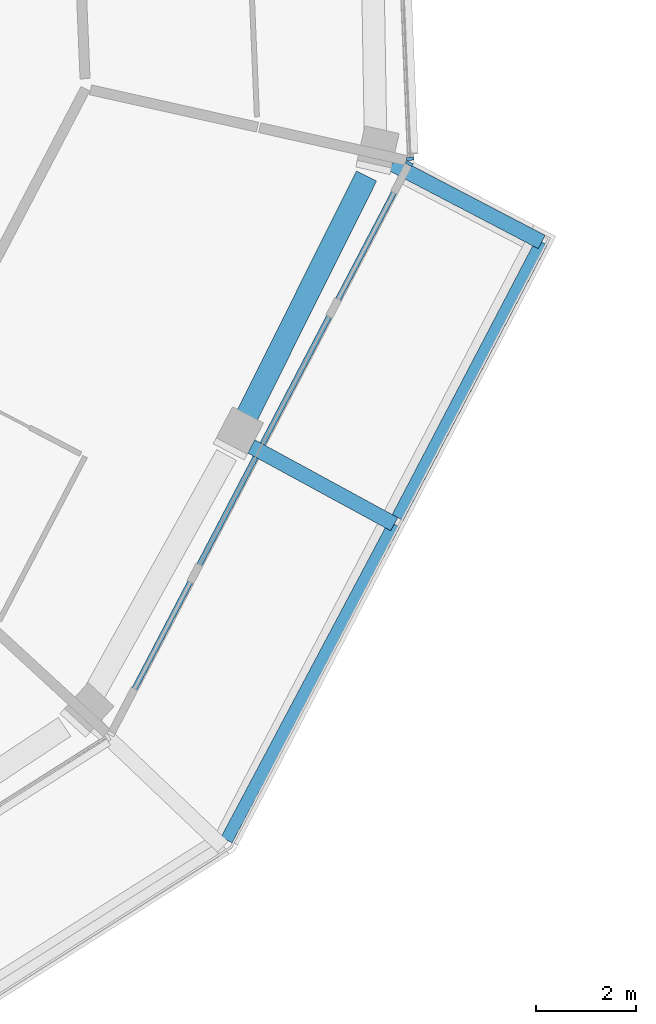
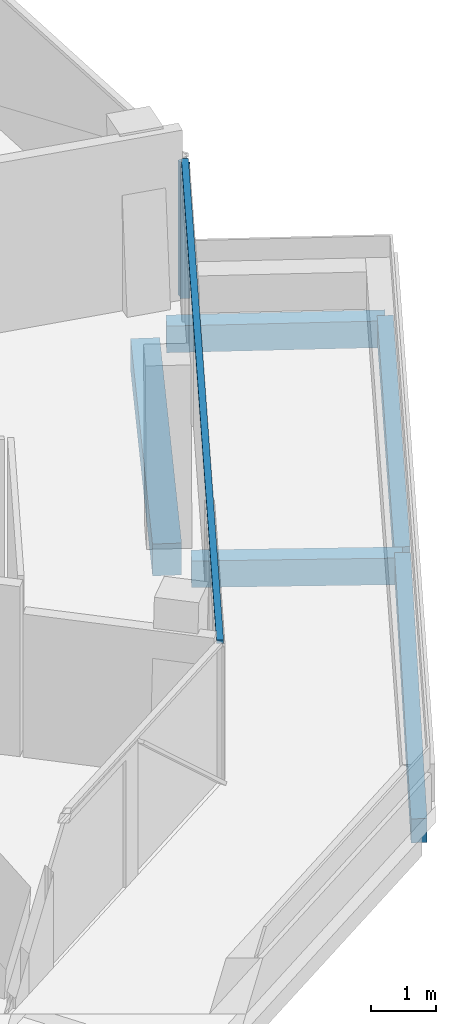
# One storey, part 4 of 23: 5 beams, 3 members, 2 elements without a shape of their own.
"""IFC4 building model written with IfcOpenShell, lengths in metres."""

from ifc_helpers import new_model, si_unit, direction, frame, origin, origin_2d, place, context, subcontext, project, spatial, rectangle, extrude, material, layer, layer_set, material_profile, profile_set, type_object, element, aggregate, save


model = new_model("IFC4")

# Units and contexts
model_context = context("Model", 3, precision=1e-05, world=origin(), true_north=direction((0.0, 1.0)))
body_context = subcontext(model_context, "Body", "Model", "MODEL_VIEW")
ifc_project = project(units=[si_unit("LENGTHUNIT", "METRE"), si_unit("AREAUNIT", "SQUARE_METRE"), si_unit("VOLUMEUNIT", "CUBIC_METRE"), si_unit("PLANEANGLEUNIT", "RADIAN"), si_unit("MASSUNIT", "GRAM", prefix="KILO")], contexts=[model_context])

# Site, building, storey
site_placement = place(None, origin())
site = spatial("IfcSite", under=ifc_project, at=site_placement, CompositionType="ELEMENT")
building_placement = place(site_placement, origin())
building = spatial("IfcBuilding", under=site, at=building_placement, Name="Verdalira Terraces Hotel", CompositionType="ELEMENT")
storey_placement = place(building_placement, frame((0.0, 0.0, 288.0)))
storey = spatial("IfcBuildingStorey", under=building, at=storey_placement, Name="L71", CompositionType="ELEMENT", Elevation=288.0)

# Beams
ifc_material_1 = material(Name="Concrete C40", Category="concrete")
ifc_material_profile_1 = material_profile(ifc_material_1, rectangle(XDim=0.300049, YDim=0.5, at=origin_2d()), Name="RC 300X500")
ifc_profile_set_1 = profile_set([ifc_material_profile_1], Name="Concrete C40")
beam_type_1 = type_object("IfcBeamType", Name="Balcony cantilever beam RC 300X500 C40", PredefinedType="BEAM", material=ifc_profile_set_1)
beam_1_placement = place(storey_placement, frame((21.25708, -11.15918, -0.560059), z_axis=(0.878308542, -0.478094243, 0.0), x_axis=(0.478094243, 0.878308542, 0.0)))
element("IfcBeam", 1, at=beam_1_placement, inside=storey, type_object=beam_type_1, Name="Balcony cantilever beam R25-4", PredefinedType="BEAM", context=body_context, shape_type="SweptSolid", body=[
    extrude(rectangle(XDim=0.300049, YDim=0.5, at=origin_2d()), origin(), (0.0, 0.0, 1.0), 3.250732),
])
beam_2_placement = place(storey_placement, frame((24.072998, -5.513672, -0.560059), z_axis=(0.886197055, -0.463308514, 0.0), x_axis=(0.463308514, 0.886197055, 0.0)))
element("IfcBeam", 2, at=beam_2_placement, inside=storey, type_object=beam_type_1, Name="Balcony cantilever beam R25-5", PredefinedType="BEAM", context=body_context, shape_type="SweptSolid", body=[
    extrude(rectangle(XDim=0.300049, YDim=0.5, at=origin_2d()), origin(), (0.0, 0.0, 1.0), 3.370361),
])
ifc_material_2 = material(Name="Concrete C40", Category="concrete")
ifc_material_profile_2 = material_profile(ifc_material_2, rectangle(XDim=0.25, YDim=0.449951, at=origin_2d()), Name="RC 250X450")
ifc_profile_set_2 = profile_set([ifc_material_profile_2], Name="Concrete C40")
beam_type_2 = type_object("IfcBeamType", Name="Balcony edge beam RC 250X450 C40", PredefinedType="BEAM", material=ifc_profile_set_2)
beam_3_placement = place(storey_placement, frame((20.762207, -19.023682, -0.534912), z_axis=(0.468909523, 0.883246206, 0.0), x_axis=(-0.883246206, 0.468909523, 0.0)))
element("IfcBeam", 3, at=beam_3_placement, inside=storey, type_object=beam_type_2, Name="Balcony edge beam R25-3", PredefinedType="BEAM", context=body_context, shape_type="SweptSolid", body=[
    extrude(rectangle(XDim=0.25, YDim=0.449951, at=origin_2d()), origin(), (0.0, 0.0, 1.0), 7.144531),
])
beam_4_placement = place(storey_placement, frame((24.181641, -12.580322, -0.534912), z_axis=(0.463316643, 0.886192805, 0.0), x_axis=(-0.886192805, 0.463316643, 0.0)))
element("IfcBeam", 4, at=beam_4_placement, inside=storey, type_object=beam_type_2, Name="Balcony edge beam R25-4", PredefinedType="BEAM", context=body_context, shape_type="SweptSolid", body=[
    extrude(rectangle(XDim=0.25, YDim=0.449951, at=origin_2d()), origin(), (0.0, 0.0, 1.0), 6.212158),
])

# Curtain wall, member
ifc_material_3 = material(Name="Clear glass", Category="glass")
ifc_layer = layer(ifc_material_3, 0.14990234375)
ifc_layer_set = layer_set([ifc_layer], Name="CW1 curtain wall")
curtain_wall_type = type_object("IfcCurtainWallType", Name="CW1 curtain wall", PredefinedType="NOTDEFINED", material=ifc_layer_set)
curtain_wall_1_placement = place(storey_placement, origin())
curtain_wall_1 = element("IfcCurtainWall", 5, at=curtain_wall_1_placement, inside=storey, type_object=curtain_wall_type, Name="CW1 curtain wall L71 edge 26", PredefinedType="NOTDEFINED")
ifc_material_4 = material(Name="Terracotta frame", Category="masonry")
ifc_material_profile_3 = material_profile(ifc_material_4, rectangle(XDim=0.060059, YDim=0.149902, at=origin_2d()), Name="MU 60x150")
ifc_profile_set_3 = profile_set([ifc_material_profile_3], Name="Terracotta frame")
member_type_1 = type_object("IfcMemberType", Name="CW1 mullion 60x150", PredefinedType="MULLION", material=ifc_profile_set_3)
member_1_placement = place(storey_placement, frame((24.410156, -5.505859, 0.0), z_axis=(0.0, 0.0, 1.0), x_axis=(0.463296035, 0.886203579, 0.0)))
member_1 = element("IfcMember", 6, at=member_1_placement, type_object=member_type_1, Name="CW1 mullion", PredefinedType="MULLION", context=body_context, shape_type="SweptSolid", body=[
    extrude(rectangle(XDim=0.060059, YDim=0.149902, at=origin_2d()), origin(), (0.0, 0.0, 1.0), 2.524902),
])

curtain_wall_2_placement = place(storey_placement, origin())
curtain_wall_2 = element("IfcCurtainWall", 7, at=curtain_wall_2_placement, inside=storey, type_object=curtain_wall_type, Name="CW1 curtain wall L71 edge 27", PredefinedType="NOTDEFINED")
member_2_placement = place(storey_placement, frame((24.431396, -5.411377, 0.0), z_axis=(0.0, 0.0, 1.0), x_axis=(-0.041875654, 0.99912283, 0.0)))
member_2 = element("IfcMember", 8, at=member_2_placement, type_object=member_type_1, Name="CW1 mullion", PredefinedType="MULLION", context=body_context, shape_type="SweptSolid", body=[
    extrude(rectangle(XDim=0.060059, YDim=0.149902, at=origin_2d()), origin(), (0.0, 0.0, 1.0), 2.524902),
])
aggregate(curtain_wall_2, [member_2])

# Member
ifc_material_5 = material(Name="Terracotta frame", Category="masonry")
ifc_material_profile_4 = material_profile(ifc_material_5, rectangle(XDim=0.110107, YDim=0.064941, at=origin_2d()), Name="TR 65x110")
ifc_profile_set_4 = profile_set([ifc_material_profile_4], Name="Terracotta frame")
member_type_2 = type_object("IfcMemberType", Name="CW1 transom 65x110", PredefinedType="USERDEFINED", material=ifc_profile_set_4)
member_3_placement = place(storey_placement, frame((18.438477, -16.928711, 2.557617), z_axis=(0.463293674, 0.886204814, 0.0), x_axis=(-0.886204814, 0.463293674, 0.0)))
member_3 = element("IfcMember", 9, at=member_3_placement, type_object=member_type_2, Name="CW1 transom", ObjectType="TRANSOM", PredefinedType="USERDEFINED", context=body_context, shape_type="SweptSolid", body=[
    extrude(rectangle(XDim=0.110107, YDim=0.064941, at=origin_2d()), origin(), (0.0, 0.0, 1.0), 12.919678),
])

aggregate(curtain_wall_1, [member_1, member_3])

# Beam
ifc_material_6 = material(Name="Concrete C40", Category="concrete")
ifc_material_profile_5 = material_profile(ifc_material_6, rectangle(XDim=0.449951, YDim=0.600098, at=origin_2d()), Name="RC 450X600")
ifc_profile_set_5 = profile_set([ifc_material_profile_5], Name="Concrete C40")
beam_type_3 = type_object("IfcBeamType", Name="Spandrel beam RC 450X600 C40", PredefinedType="SPANDREL", material=ifc_profile_set_5)
beam_5_placement = place(storey_placement, frame((21.095215, -10.69751, -0.610107), z_axis=(0.44611665, 0.894974823, 0.0), x_axis=(-0.894974823, 0.44611665, 0.0)))
element("IfcBeam", 10, at=beam_5_placement, inside=storey, type_object=beam_type_3, Name="Spandrel beam B16", PredefinedType="SPANDREL", context=body_context, shape_type="SweptSolid", body=[
    extrude(rectangle(XDim=0.449951, YDim=0.600098, at=origin_2d()), origin(), (0.0, 0.0, 1.0), 5.52124),
])

save(model, "model.ifc")
